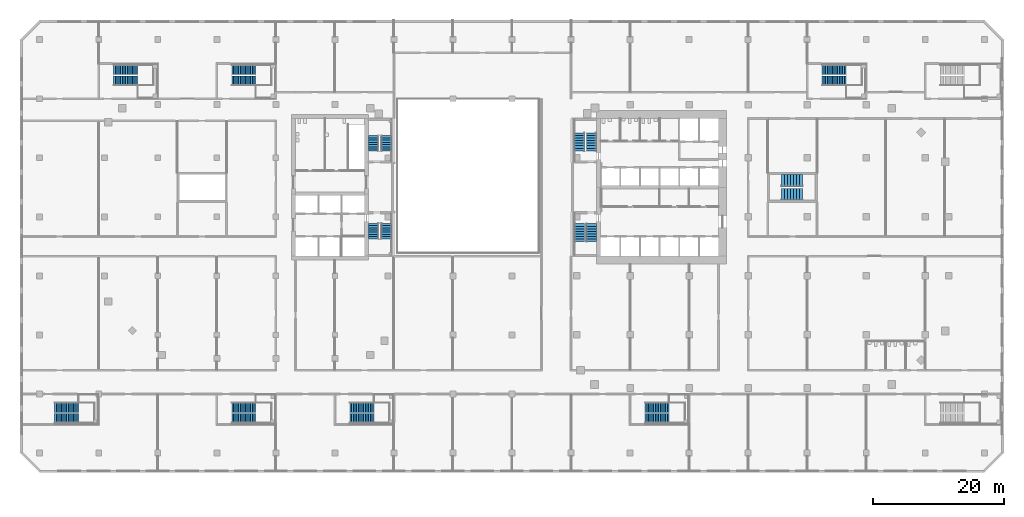
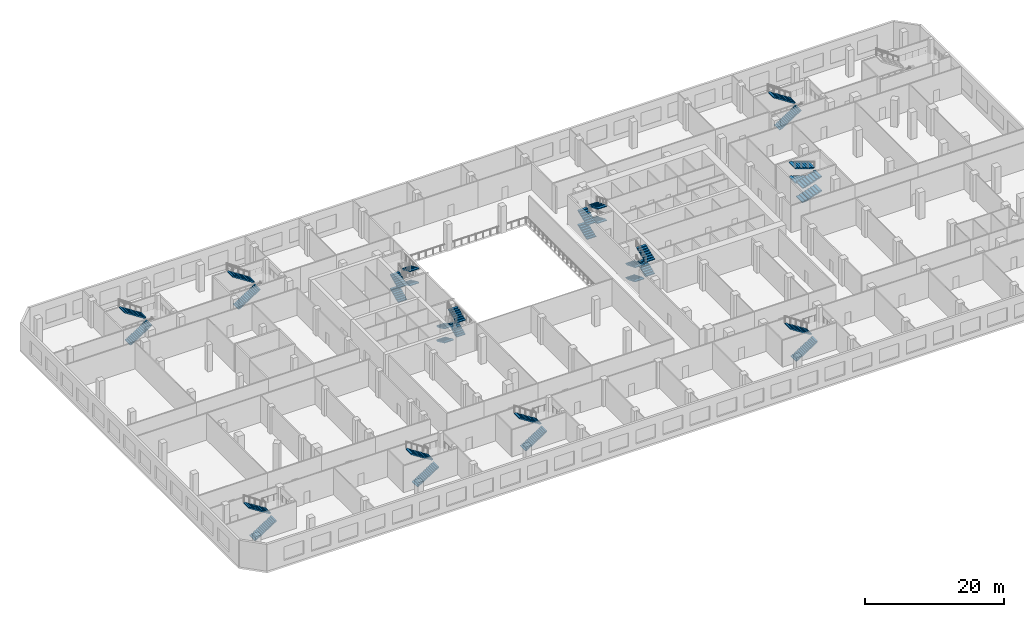
# One storey, part 15 of 21: 34 stair flights, 12 elements without a shape of their own.
"""IFC4 building model written with IfcOpenShell, lengths in metres."""

from ifc_helpers import new_model, si_unit, direction, frame, origin, place, context, subcontext, project, spatial, polyline, outline, extrude, material, type_object, element, aggregate, save


model = new_model("IFC4")

# Units and contexts
model_context = context("Model", 3, precision=1e-05, world=origin(), true_north=direction((0.0, 1.0)))
body_context = subcontext(model_context, "Body", "Model", "MODEL_VIEW")
ifc_project = project(units=[si_unit("LENGTHUNIT", "METRE"), si_unit("AREAUNIT", "SQUARE_METRE"), si_unit("VOLUMEUNIT", "CUBIC_METRE"), si_unit("PLANEANGLEUNIT", "RADIAN"), si_unit("MASSUNIT", "GRAM", prefix="KILO")], contexts=[model_context])

# Site, building, storey
site_placement = place(None, origin())
site = spatial("IfcSite", under=ifc_project, at=site_placement, CompositionType="ELEMENT")
building_placement = place(site_placement, origin())
building = spatial("IfcBuilding", under=site, at=building_placement, Name="Cinnabar Reach Civic Tower", CompositionType="ELEMENT")
storey_placement = place(building_placement, frame((0.0, 0.0, 16.0)))
storey = spatial("IfcBuildingStorey", under=building, at=storey_placement, Name="L03", CompositionType="ELEMENT", Elevation=16.0)

# Stair, stair flights
ifc_material_1 = material(Name="Concrete C35", Category="concrete")
stair_type_1 = type_object("IfcStairType", Name="Podium exit stair 1500", PredefinedType="HALF_TURN_STAIR", material=ifc_material_1)
stair_1_placement = place(storey_placement, origin())
stair_1 = element("IfcStair", 1, at=stair_1_placement, inside=storey, type_object=stair_type_1, Name="Stair PS1", PredefinedType="HALF_TURN_STAIR")
stair_flight_type_1 = type_object("IfcStairFlightType", Name="Podium exit stair flight 1500", PredefinedType="STRAIGHT", material=ifc_material_1)
stair_flight_1_placement = place(storey_placement, frame((-78.71, -3.75, 0.0), z_axis=(0.0, 0.0, 1.0), x_axis=(1.0, 0.0, 0.0)))
stair_flight_1 = element("IfcStairFlight", 2, at=stair_flight_1_placement, type_object=stair_flight_type_1, Name="PS1 flight 1", NumberOfRisers=15, NumberOfTreads=14, PredefinedType="STRAIGHT", RiserHeight=0.166666667, TreadLength=0.26, context=body_context, shape_type="SweptSolid", body=[
    extrude(outline(polyline([(0.0, 0.0), (0.0, 0.1667), (0.26, 0.1667), (0.26, 0.3333), (0.52, 0.3333), (0.52, 0.5), (0.78, 0.5), (0.78, 0.6667), (1.04, 0.6667), (1.04, 0.8333), (1.3, 0.8333), (1.3, 1.0), (1.56, 1.0), (1.56, 1.1667), (1.82, 1.1667), (1.82, 1.3333), (2.08, 1.3333), (2.08, 1.5), (2.34, 1.5), (2.34, 1.6667), (2.6, 1.6667), (2.6, 1.8333), (2.86, 1.8333), (2.86, 2.0), (3.12, 2.0), (3.12, 2.1667), (3.38, 2.1667), (3.38, 2.3333), (3.64, 2.3333), (3.64, 2.5), (3.64, 2.1552), (0.2779, 0.0), (0.0, 0.0)])), frame((0.0, 0.75, 0.0), z_axis=(0.0, -1.0, 0.0), x_axis=(1.0, 0.0, 0.0)), (0.0, 0.0, 1.0), 1.5),
])
stair_flight_2_placement = place(storey_placement, frame((-75.07, -2.05, 2.5), z_axis=(0.0, 0.0, 1.0), x_axis=(-1.0, 0.0, 0.0)))
stair_flight_2 = element("IfcStairFlight", 3, at=stair_flight_2_placement, type_object=stair_flight_type_1, Name="PS1 flight 2", NumberOfRisers=15, NumberOfTreads=14, PredefinedType="STRAIGHT", RiserHeight=0.166666667, TreadLength=0.26, context=body_context, shape_type="SweptSolid", body=[
    extrude(outline(polyline([(0.0, 0.0), (0.0, 0.1667), (0.26, 0.1667), (0.26, 0.3333), (0.52, 0.3333), (0.52, 0.5), (0.78, 0.5), (0.78, 0.6667), (1.04, 0.6667), (1.04, 0.8333), (1.3, 0.8333), (1.3, 1.0), (1.56, 1.0), (1.56, 1.1667), (1.82, 1.1667), (1.82, 1.3333), (2.08, 1.3333), (2.08, 1.5), (2.34, 1.5), (2.34, 1.6667), (2.6, 1.6667), (2.6, 1.8333), (2.86, 1.8333), (2.86, 2.0), (3.12, 2.0), (3.12, 2.1667), (3.38, 2.1667), (3.38, 2.3333), (3.64, 2.3333), (3.64, 2.5), (3.64, 2.1552), (0.2779, 0.0), (0.0, 0.0)])), frame((0.0, 0.75, 0.0), z_axis=(0.0, -1.0, 0.0), x_axis=(1.0, 0.0, 0.0)), (0.0, 0.0, 1.0), 1.5),
])
aggregate(stair_1, [stair_flight_1, stair_flight_2])

stair_2_placement = place(storey_placement, origin())
stair_2 = element("IfcStair", 4, at=stair_2_placement, inside=storey, type_object=stair_type_1, Name="Stair PS2", PredefinedType="HALF_TURN_STAIR")
stair_flight_3_placement = place(storey_placement, frame((-69.71, 47.75, 0.0), z_axis=(0.0, 0.0, 1.0), x_axis=(1.0, 0.0, 0.0)))
stair_flight_3 = element("IfcStairFlight", 5, at=stair_flight_3_placement, type_object=stair_flight_type_1, Name="PS2 flight 1", NumberOfRisers=15, NumberOfTreads=14, PredefinedType="STRAIGHT", RiserHeight=0.166666667, TreadLength=0.26, context=body_context, shape_type="SweptSolid", body=[
    extrude(outline(polyline([(0.0, 0.0), (0.0, 0.1667), (0.26, 0.1667), (0.26, 0.3333), (0.52, 0.3333), (0.52, 0.5), (0.78, 0.5), (0.78, 0.6667), (1.04, 0.6667), (1.04, 0.8333), (1.3, 0.8333), (1.3, 1.0), (1.56, 1.0), (1.56, 1.1667), (1.82, 1.1667), (1.82, 1.3333), (2.08, 1.3333), (2.08, 1.5), (2.34, 1.5), (2.34, 1.6667), (2.6, 1.6667), (2.6, 1.8333), (2.86, 1.8333), (2.86, 2.0), (3.12, 2.0), (3.12, 2.1667), (3.38, 2.1667), (3.38, 2.3333), (3.64, 2.3333), (3.64, 2.5), (3.64, 2.1552), (0.2779, 0.0), (0.0, 0.0)])), frame((0.0, 0.75, 0.0), z_axis=(0.0, -1.0, 0.0), x_axis=(1.0, 0.0, 0.0)), (0.0, 0.0, 1.0), 1.5),
])
stair_flight_4_placement = place(storey_placement, frame((-66.07, 49.45, 2.5), z_axis=(0.0, 0.0, 1.0), x_axis=(-1.0, 0.0, 0.0)))
stair_flight_4 = element("IfcStairFlight", 6, at=stair_flight_4_placement, type_object=stair_flight_type_1, Name="PS2 flight 2", NumberOfRisers=15, NumberOfTreads=14, PredefinedType="STRAIGHT", RiserHeight=0.166666667, TreadLength=0.26, context=body_context, shape_type="SweptSolid", body=[
    extrude(outline(polyline([(0.0, 0.0), (0.0, 0.1667), (0.26, 0.1667), (0.26, 0.3333), (0.52, 0.3333), (0.52, 0.5), (0.78, 0.5), (0.78, 0.6667), (1.04, 0.6667), (1.04, 0.8333), (1.3, 0.8333), (1.3, 1.0), (1.56, 1.0), (1.56, 1.1667), (1.82, 1.1667), (1.82, 1.3333), (2.08, 1.3333), (2.08, 1.5), (2.34, 1.5), (2.34, 1.6667), (2.6, 1.6667), (2.6, 1.8333), (2.86, 1.8333), (2.86, 2.0), (3.12, 2.0), (3.12, 2.1667), (3.38, 2.1667), (3.38, 2.3333), (3.64, 2.3333), (3.64, 2.5), (3.64, 2.1552), (0.2779, 0.0), (0.0, 0.0)])), frame((0.0, 0.75, 0.0), z_axis=(0.0, -1.0, 0.0), x_axis=(1.0, 0.0, 0.0)), (0.0, 0.0, 1.0), 1.5),
])
aggregate(stair_2, [stair_flight_3, stair_flight_4])

stair_3_placement = place(storey_placement, origin())
stair_3 = element("IfcStair", 7, at=stair_3_placement, inside=storey, type_object=stair_type_1, Name="Stair PS3", PredefinedType="HALF_TURN_STAIR")
stair_flight_5_placement = place(storey_placement, frame((11.29, -3.75, 0.0), z_axis=(0.0, 0.0, 1.0), x_axis=(1.0, 0.0, 0.0)))
stair_flight_5 = element("IfcStairFlight", 8, at=stair_flight_5_placement, type_object=stair_flight_type_1, Name="PS3 flight 1", NumberOfRisers=15, NumberOfTreads=14, PredefinedType="STRAIGHT", RiserHeight=0.166666667, TreadLength=0.26, context=body_context, shape_type="SweptSolid", body=[
    extrude(outline(polyline([(0.0, 0.0), (0.0, 0.1667), (0.26, 0.1667), (0.26, 0.3333), (0.52, 0.3333), (0.52, 0.5), (0.78, 0.5), (0.78, 0.6667), (1.04, 0.6667), (1.04, 0.8333), (1.3, 0.8333), (1.3, 1.0), (1.56, 1.0), (1.56, 1.1667), (1.82, 1.1667), (1.82, 1.3333), (2.08, 1.3333), (2.08, 1.5), (2.34, 1.5), (2.34, 1.6667), (2.6, 1.6667), (2.6, 1.8333), (2.86, 1.8333), (2.86, 2.0), (3.12, 2.0), (3.12, 2.1667), (3.38, 2.1667), (3.38, 2.3333), (3.64, 2.3333), (3.64, 2.5), (3.64, 2.1552), (0.2779, 0.0), (0.0, 0.0)])), frame((0.0, 0.75, 0.0), z_axis=(0.0, -1.0, 0.0), x_axis=(1.0, 0.0, 0.0)), (0.0, 0.0, 1.0), 1.5),
])
stair_flight_6_placement = place(storey_placement, frame((14.93, -2.05, 2.5), z_axis=(0.0, 0.0, 1.0), x_axis=(-1.0, 0.0, 0.0)))
stair_flight_6 = element("IfcStairFlight", 9, at=stair_flight_6_placement, type_object=stair_flight_type_1, Name="PS3 flight 2", NumberOfRisers=15, NumberOfTreads=14, PredefinedType="STRAIGHT", RiserHeight=0.166666667, TreadLength=0.26, context=body_context, shape_type="SweptSolid", body=[
    extrude(outline(polyline([(0.0, 0.0), (0.0, 0.1667), (0.26, 0.1667), (0.26, 0.3333), (0.52, 0.3333), (0.52, 0.5), (0.78, 0.5), (0.78, 0.6667), (1.04, 0.6667), (1.04, 0.8333), (1.3, 0.8333), (1.3, 1.0), (1.56, 1.0), (1.56, 1.1667), (1.82, 1.1667), (1.82, 1.3333), (2.08, 1.3333), (2.08, 1.5), (2.34, 1.5), (2.34, 1.6667), (2.6, 1.6667), (2.6, 1.8333), (2.86, 1.8333), (2.86, 2.0), (3.12, 2.0), (3.12, 2.1667), (3.38, 2.1667), (3.38, 2.3333), (3.64, 2.3333), (3.64, 2.5), (3.64, 2.1552), (0.2779, 0.0), (0.0, 0.0)])), frame((0.0, 0.75, 0.0), z_axis=(0.0, -1.0, 0.0), x_axis=(1.0, 0.0, 0.0)), (0.0, 0.0, 1.0), 1.5),
])
aggregate(stair_3, [stair_flight_5, stair_flight_6])

stair_4_placement = place(storey_placement, origin())
stair_4 = element("IfcStair", 10, at=stair_4_placement, inside=storey, type_object=stair_type_1, Name="Stair PS6", PredefinedType="HALF_TURN_STAIR")
stair_flight_7_placement = place(storey_placement, frame((38.29, 47.75, 0.0), z_axis=(0.0, 0.0, 1.0), x_axis=(1.0, 0.0, 0.0)))
stair_flight_7 = element("IfcStairFlight", 11, at=stair_flight_7_placement, type_object=stair_flight_type_1, Name="PS6 flight 1", NumberOfRisers=15, NumberOfTreads=14, PredefinedType="STRAIGHT", RiserHeight=0.166666667, TreadLength=0.26, context=body_context, shape_type="SweptSolid", body=[
    extrude(outline(polyline([(0.0, 0.0), (0.0, 0.1667), (0.26, 0.1667), (0.26, 0.3333), (0.52, 0.3333), (0.52, 0.5), (0.78, 0.5), (0.78, 0.6667), (1.04, 0.6667), (1.04, 0.8333), (1.3, 0.8333), (1.3, 1.0), (1.56, 1.0), (1.56, 1.1667), (1.82, 1.1667), (1.82, 1.3333), (2.08, 1.3333), (2.08, 1.5), (2.34, 1.5), (2.34, 1.6667), (2.6, 1.6667), (2.6, 1.8333), (2.86, 1.8333), (2.86, 2.0), (3.12, 2.0), (3.12, 2.1667), (3.38, 2.1667), (3.38, 2.3333), (3.64, 2.3333), (3.64, 2.5), (3.64, 2.1552), (0.2779, 0.0), (0.0, 0.0)])), frame((0.0, 0.75, 0.0), z_axis=(0.0, -1.0, 0.0), x_axis=(1.0, 0.0, 0.0)), (0.0, 0.0, 1.0), 1.5),
])
stair_flight_8_placement = place(storey_placement, frame((41.93, 49.45, 2.5), z_axis=(0.0, 0.0, 1.0), x_axis=(-1.0, 0.0, 0.0)))
stair_flight_8 = element("IfcStairFlight", 12, at=stair_flight_8_placement, type_object=stair_flight_type_1, Name="PS6 flight 2", NumberOfRisers=15, NumberOfTreads=14, PredefinedType="STRAIGHT", RiserHeight=0.166666667, TreadLength=0.26, context=body_context, shape_type="SweptSolid", body=[
    extrude(outline(polyline([(0.0, 0.0), (0.0, 0.1667), (0.26, 0.1667), (0.26, 0.3333), (0.52, 0.3333), (0.52, 0.5), (0.78, 0.5), (0.78, 0.6667), (1.04, 0.6667), (1.04, 0.8333), (1.3, 0.8333), (1.3, 1.0), (1.56, 1.0), (1.56, 1.1667), (1.82, 1.1667), (1.82, 1.3333), (2.08, 1.3333), (2.08, 1.5), (2.34, 1.5), (2.34, 1.6667), (2.6, 1.6667), (2.6, 1.8333), (2.86, 1.8333), (2.86, 2.0), (3.12, 2.0), (3.12, 2.1667), (3.38, 2.1667), (3.38, 2.3333), (3.64, 2.3333), (3.64, 2.5), (3.64, 2.1552), (0.2779, 0.0), (0.0, 0.0)])), frame((0.0, 0.75, 0.0), z_axis=(0.0, -1.0, 0.0), x_axis=(1.0, 0.0, 0.0)), (0.0, 0.0, 1.0), 1.5),
])
aggregate(stair_4, [stair_flight_7, stair_flight_8])

stair_5_placement = place(storey_placement, origin())
stair_5 = element("IfcStair", 13, at=stair_5_placement, inside=storey, type_object=stair_type_1, Name="Stair PS7", PredefinedType="HALF_TURN_STAIR")
stair_flight_9_placement = place(storey_placement, frame((-51.71, 47.75, 0.0), z_axis=(0.0, 0.0, 1.0), x_axis=(1.0, 0.0, 0.0)))
stair_flight_9 = element("IfcStairFlight", 14, at=stair_flight_9_placement, type_object=stair_flight_type_1, Name="PS7 flight 1", NumberOfRisers=15, NumberOfTreads=14, PredefinedType="STRAIGHT", RiserHeight=0.166666667, TreadLength=0.26, context=body_context, shape_type="SweptSolid", body=[
    extrude(outline(polyline([(0.0, 0.0), (0.0, 0.1667), (0.26, 0.1667), (0.26, 0.3333), (0.52, 0.3333), (0.52, 0.5), (0.78, 0.5), (0.78, 0.6667), (1.04, 0.6667), (1.04, 0.8333), (1.3, 0.8333), (1.3, 1.0), (1.56, 1.0), (1.56, 1.1667), (1.82, 1.1667), (1.82, 1.3333), (2.08, 1.3333), (2.08, 1.5), (2.34, 1.5), (2.34, 1.6667), (2.6, 1.6667), (2.6, 1.8333), (2.86, 1.8333), (2.86, 2.0), (3.12, 2.0), (3.12, 2.1667), (3.38, 2.1667), (3.38, 2.3333), (3.64, 2.3333), (3.64, 2.5), (3.64, 2.1552), (0.2779, 0.0), (0.0, 0.0)])), frame((0.0, 0.75, 0.0), z_axis=(0.0, -1.0, 0.0), x_axis=(1.0, 0.0, 0.0)), (0.0, 0.0, 1.0), 1.5),
])
stair_flight_10_placement = place(storey_placement, frame((-48.07, 49.45, 2.5), z_axis=(0.0, 0.0, 1.0), x_axis=(-1.0, 0.0, 0.0)))
stair_flight_10 = element("IfcStairFlight", 15, at=stair_flight_10_placement, type_object=stair_flight_type_1, Name="PS7 flight 2", NumberOfRisers=15, NumberOfTreads=14, PredefinedType="STRAIGHT", RiserHeight=0.166666667, TreadLength=0.26, context=body_context, shape_type="SweptSolid", body=[
    extrude(outline(polyline([(0.0, 0.0), (0.0, 0.1667), (0.26, 0.1667), (0.26, 0.3333), (0.52, 0.3333), (0.52, 0.5), (0.78, 0.5), (0.78, 0.6667), (1.04, 0.6667), (1.04, 0.8333), (1.3, 0.8333), (1.3, 1.0), (1.56, 1.0), (1.56, 1.1667), (1.82, 1.1667), (1.82, 1.3333), (2.08, 1.3333), (2.08, 1.5), (2.34, 1.5), (2.34, 1.6667), (2.6, 1.6667), (2.6, 1.8333), (2.86, 1.8333), (2.86, 2.0), (3.12, 2.0), (3.12, 2.1667), (3.38, 2.1667), (3.38, 2.3333), (3.64, 2.3333), (3.64, 2.5), (3.64, 2.1552), (0.2779, 0.0), (0.0, 0.0)])), frame((0.0, 0.75, 0.0), z_axis=(0.0, -1.0, 0.0), x_axis=(1.0, 0.0, 0.0)), (0.0, 0.0, 1.0), 1.5),
])
aggregate(stair_5, [stair_flight_9, stair_flight_10])

stair_6_placement = place(storey_placement, origin())
stair_6 = element("IfcStair", 16, at=stair_6_placement, inside=storey, type_object=stair_type_1, Name="Stair PS8", PredefinedType="HALF_TURN_STAIR")
stair_flight_11_placement = place(storey_placement, frame((-51.71, -3.75, 0.0), z_axis=(0.0, 0.0, 1.0), x_axis=(1.0, 0.0, 0.0)))
stair_flight_11 = element("IfcStairFlight", 17, at=stair_flight_11_placement, type_object=stair_flight_type_1, Name="PS8 flight 1", NumberOfRisers=15, NumberOfTreads=14, PredefinedType="STRAIGHT", RiserHeight=0.166666667, TreadLength=0.26, context=body_context, shape_type="SweptSolid", body=[
    extrude(outline(polyline([(0.0, 0.0), (0.0, 0.1667), (0.26, 0.1667), (0.26, 0.3333), (0.52, 0.3333), (0.52, 0.5), (0.78, 0.5), (0.78, 0.6667), (1.04, 0.6667), (1.04, 0.8333), (1.3, 0.8333), (1.3, 1.0), (1.56, 1.0), (1.56, 1.1667), (1.82, 1.1667), (1.82, 1.3333), (2.08, 1.3333), (2.08, 1.5), (2.34, 1.5), (2.34, 1.6667), (2.6, 1.6667), (2.6, 1.8333), (2.86, 1.8333), (2.86, 2.0), (3.12, 2.0), (3.12, 2.1667), (3.38, 2.1667), (3.38, 2.3333), (3.64, 2.3333), (3.64, 2.5), (3.64, 2.1552), (0.2779, 0.0), (0.0, 0.0)])), frame((0.0, 0.75, 0.0), z_axis=(0.0, -1.0, 0.0), x_axis=(1.0, 0.0, 0.0)), (0.0, 0.0, 1.0), 1.5),
])
stair_flight_12_placement = place(storey_placement, frame((-48.07, -2.05, 2.5), z_axis=(0.0, 0.0, 1.0), x_axis=(-1.0, 0.0, 0.0)))
stair_flight_12 = element("IfcStairFlight", 18, at=stair_flight_12_placement, type_object=stair_flight_type_1, Name="PS8 flight 2", NumberOfRisers=15, NumberOfTreads=14, PredefinedType="STRAIGHT", RiserHeight=0.166666667, TreadLength=0.26, context=body_context, shape_type="SweptSolid", body=[
    extrude(outline(polyline([(0.0, 0.0), (0.0, 0.1667), (0.26, 0.1667), (0.26, 0.3333), (0.52, 0.3333), (0.52, 0.5), (0.78, 0.5), (0.78, 0.6667), (1.04, 0.6667), (1.04, 0.8333), (1.3, 0.8333), (1.3, 1.0), (1.56, 1.0), (1.56, 1.1667), (1.82, 1.1667), (1.82, 1.3333), (2.08, 1.3333), (2.08, 1.5), (2.34, 1.5), (2.34, 1.6667), (2.6, 1.6667), (2.6, 1.8333), (2.86, 1.8333), (2.86, 2.0), (3.12, 2.0), (3.12, 2.1667), (3.38, 2.1667), (3.38, 2.3333), (3.64, 2.3333), (3.64, 2.5), (3.64, 2.1552), (0.2779, 0.0), (0.0, 0.0)])), frame((0.0, 0.75, 0.0), z_axis=(0.0, -1.0, 0.0), x_axis=(1.0, 0.0, 0.0)), (0.0, 0.0, 1.0), 1.5),
])
aggregate(stair_6, [stair_flight_11, stair_flight_12])

stair_7_placement = place(storey_placement, origin())
stair_7 = element("IfcStair", 19, at=stair_7_placement, inside=storey, type_object=stair_type_1, Name="Stair PS9", PredefinedType="HALF_TURN_STAIR")
stair_flight_13_placement = place(storey_placement, frame((-33.71, -3.75, 0.0), z_axis=(0.0, 0.0, 1.0), x_axis=(1.0, 0.0, 0.0)))
stair_flight_13 = element("IfcStairFlight", 20, at=stair_flight_13_placement, type_object=stair_flight_type_1, Name="PS9 flight 1", NumberOfRisers=15, NumberOfTreads=14, PredefinedType="STRAIGHT", RiserHeight=0.166666667, TreadLength=0.26, context=body_context, shape_type="SweptSolid", body=[
    extrude(outline(polyline([(0.0, 0.0), (0.0, 0.1667), (0.26, 0.1667), (0.26, 0.3333), (0.52, 0.3333), (0.52, 0.5), (0.78, 0.5), (0.78, 0.6667), (1.04, 0.6667), (1.04, 0.8333), (1.3, 0.8333), (1.3, 1.0), (1.56, 1.0), (1.56, 1.1667), (1.82, 1.1667), (1.82, 1.3333), (2.08, 1.3333), (2.08, 1.5), (2.34, 1.5), (2.34, 1.6667), (2.6, 1.6667), (2.6, 1.8333), (2.86, 1.8333), (2.86, 2.0), (3.12, 2.0), (3.12, 2.1667), (3.38, 2.1667), (3.38, 2.3333), (3.64, 2.3333), (3.64, 2.5), (3.64, 2.1552), (0.2779, 0.0), (0.0, 0.0)])), frame((0.0, 0.75, 0.0), z_axis=(0.0, -1.0, 0.0), x_axis=(1.0, 0.0, 0.0)), (0.0, 0.0, 1.0), 1.5),
])
stair_flight_14_placement = place(storey_placement, frame((-30.07, -2.05, 2.5), z_axis=(0.0, 0.0, 1.0), x_axis=(-1.0, 0.0, 0.0)))
stair_flight_14 = element("IfcStairFlight", 21, at=stair_flight_14_placement, type_object=stair_flight_type_1, Name="PS9 flight 2", NumberOfRisers=15, NumberOfTreads=14, PredefinedType="STRAIGHT", RiserHeight=0.166666667, TreadLength=0.26, context=body_context, shape_type="SweptSolid", body=[
    extrude(outline(polyline([(0.0, 0.0), (0.0, 0.1667), (0.26, 0.1667), (0.26, 0.3333), (0.52, 0.3333), (0.52, 0.5), (0.78, 0.5), (0.78, 0.6667), (1.04, 0.6667), (1.04, 0.8333), (1.3, 0.8333), (1.3, 1.0), (1.56, 1.0), (1.56, 1.1667), (1.82, 1.1667), (1.82, 1.3333), (2.08, 1.3333), (2.08, 1.5), (2.34, 1.5), (2.34, 1.6667), (2.6, 1.6667), (2.6, 1.8333), (2.86, 1.8333), (2.86, 2.0), (3.12, 2.0), (3.12, 2.1667), (3.38, 2.1667), (3.38, 2.3333), (3.64, 2.3333), (3.64, 2.5), (3.64, 2.1552), (0.2779, 0.0), (0.0, 0.0)])), frame((0.0, 0.75, 0.0), z_axis=(0.0, -1.0, 0.0), x_axis=(1.0, 0.0, 0.0)), (0.0, 0.0, 1.0), 1.5),
])
aggregate(stair_7, [stair_flight_13, stair_flight_14])

ifc_material_2 = material(Name="Concrete C40/50", Category="concrete")
stair_type_2 = type_object("IfcStairType", Name="T1 Exit stair, double return", PredefinedType="DOUBLE_RETURN_STAIR", material=ifc_material_2)
stair_8_placement = place(storey_placement, origin())
stair_8 = element("IfcStair", 22, at=stair_8_placement, inside=storey, type_object=stair_type_2, Name="Stair T1-S1", PredefinedType="DOUBLE_RETURN_STAIR")
stair_flight_type_2 = type_object("IfcStairFlightType", Name="T1 Stair flight, concrete", PredefinedType="STRAIGHT", material=ifc_material_2)
stair_flight_15_placement = place(storey_placement, frame((1.3125, 25.95, 0.0), z_axis=(0.0, 0.0, 1.0), x_axis=(0.0, -1.0, 0.0)))
stair_flight_15 = element("IfcStairFlight", 23, at=stair_flight_15_placement, type_object=stair_flight_type_2, Name="T1-S1 flight 1", NumberOfRisers=8, NumberOfTreads=7, PredefinedType="STRAIGHT", RiserHeight=0.15625, TreadLength=0.392142857, context=body_context, shape_type="SweptSolid", body=[
    extrude(outline(polyline([(0.0, 0.0), (0.0, 0.1562), (0.3921, 0.1562), (0.3921, 0.3125), (0.7843, 0.3125), (0.7843, 0.4688), (1.1764, 0.4688), (1.1764, 0.625), (1.5686, 0.625), (1.5686, 0.7812), (1.9607, 0.7812), (1.9607, 0.9375), (2.3529, 0.9375), (2.3529, 1.0938), (2.745, 1.0938), (2.745, 1.25), (2.745, 0.9323), (0.4052, 0.0), (0.0, 0.0)])), frame((0.0, 0.7625, 0.0), z_axis=(0.0, -1.0, 0.0), x_axis=(1.0, 0.0, 0.0)), (0.0, 0.0, 1.0), 1.525),
])
stair_flight_16_placement = place(storey_placement, frame((3.0875, 23.205, 1.25), z_axis=(0.0, 0.0, 1.0), x_axis=(0.0, 1.0, 0.0)))
stair_flight_16 = element("IfcStairFlight", 24, at=stair_flight_16_placement, type_object=stair_flight_type_2, Name="T1-S1 flight 2", NumberOfRisers=8, NumberOfTreads=7, PredefinedType="STRAIGHT", RiserHeight=0.15625, TreadLength=0.392142857, context=body_context, shape_type="SweptSolid", body=[
    extrude(outline(polyline([(0.0, 0.0), (0.0, 0.1562), (0.3921, 0.1562), (0.3921, 0.3125), (0.7843, 0.3125), (0.7843, 0.4688), (1.1764, 0.4688), (1.1764, 0.625), (1.5686, 0.625), (1.5686, 0.7812), (1.9607, 0.7812), (1.9607, 0.9375), (2.3529, 0.9375), (2.3529, 1.0938), (2.745, 1.0938), (2.745, 1.25), (2.745, 0.9323), (0.4052, 0.0), (0.0, 0.0)])), frame((0.0, 0.7625, 0.0), z_axis=(0.0, -1.0, 0.0), x_axis=(1.0, 0.0, 0.0)), (0.0, 0.0, 1.0), 1.525),
])
stair_flight_17_placement = place(storey_placement, frame((1.3125, 25.95, 2.5), z_axis=(0.0, 0.0, 1.0), x_axis=(0.0, -1.0, 0.0)))
stair_flight_17 = element("IfcStairFlight", 25, at=stair_flight_17_placement, type_object=stair_flight_type_2, Name="T1-S1 flight 3", NumberOfRisers=8, NumberOfTreads=7, PredefinedType="STRAIGHT", RiserHeight=0.15625, TreadLength=0.392142857, context=body_context, shape_type="SweptSolid", body=[
    extrude(outline(polyline([(0.0, 0.0), (0.0, 0.1562), (0.3921, 0.1562), (0.3921, 0.3125), (0.7843, 0.3125), (0.7843, 0.4688), (1.1764, 0.4688), (1.1764, 0.625), (1.5686, 0.625), (1.5686, 0.7812), (1.9607, 0.7812), (1.9607, 0.9375), (2.3529, 0.9375), (2.3529, 1.0938), (2.745, 1.0938), (2.745, 1.25), (2.745, 0.9323), (0.4052, 0.0), (0.0, 0.0)])), frame((0.0, 0.7625, 0.0), z_axis=(0.0, -1.0, 0.0), x_axis=(1.0, 0.0, 0.0)), (0.0, 0.0, 1.0), 1.525),
])
stair_flight_18_placement = place(storey_placement, frame((3.0875, 23.205, 3.75), z_axis=(0.0, 0.0, 1.0), x_axis=(0.0, 1.0, 0.0)))
stair_flight_18 = element("IfcStairFlight", 26, at=stair_flight_18_placement, type_object=stair_flight_type_2, Name="T1-S1 flight 4", NumberOfRisers=8, NumberOfTreads=7, PredefinedType="STRAIGHT", RiserHeight=0.15625, TreadLength=0.392142857, context=body_context, shape_type="SweptSolid", body=[
    extrude(outline(polyline([(0.0, 0.0), (0.0, 0.1562), (0.3921, 0.1562), (0.3921, 0.3125), (0.7843, 0.3125), (0.7843, 0.4688), (1.1764, 0.4688), (1.1764, 0.625), (1.5686, 0.625), (1.5686, 0.7812), (1.9607, 0.7812), (1.9607, 0.9375), (2.3529, 0.9375), (2.3529, 1.0938), (2.745, 1.0938), (2.745, 1.25), (2.745, 0.9323), (0.4052, 0.0), (0.0, 0.0)])), frame((0.0, 0.7625, 0.0), z_axis=(0.0, -1.0, 0.0), x_axis=(1.0, 0.0, 0.0)), (0.0, 0.0, 1.0), 1.525),
])
aggregate(stair_8, [stair_flight_15, stair_flight_16, stair_flight_17, stair_flight_18])

stair_9_placement = place(storey_placement, origin())
stair_9 = element("IfcStair", 27, at=stair_9_placement, inside=storey, type_object=stair_type_2, Name="Stair T1-S2", PredefinedType="DOUBLE_RETURN_STAIR")
stair_flight_19_placement = place(storey_placement, frame((1.3125, 37.05, 0.0), z_axis=(0.0, 0.0, 1.0), x_axis=(0.0, 1.0, 0.0)))
stair_flight_19 = element("IfcStairFlight", 28, at=stair_flight_19_placement, type_object=stair_flight_type_2, Name="T1-S2 flight 1", NumberOfRisers=8, NumberOfTreads=7, PredefinedType="STRAIGHT", RiserHeight=0.15625, TreadLength=0.392142857, context=body_context, shape_type="SweptSolid", body=[
    extrude(outline(polyline([(0.0, 0.0), (0.0, 0.1562), (0.3921, 0.1562), (0.3921, 0.3125), (0.7843, 0.3125), (0.7843, 0.4688), (1.1764, 0.4688), (1.1764, 0.625), (1.5686, 0.625), (1.5686, 0.7812), (1.9607, 0.7812), (1.9607, 0.9375), (2.3529, 0.9375), (2.3529, 1.0938), (2.745, 1.0938), (2.745, 1.25), (2.745, 0.9323), (0.4052, 0.0), (0.0, 0.0)])), frame((0.0, 0.7625, 0.0), z_axis=(0.0, -1.0, 0.0), x_axis=(1.0, 0.0, 0.0)), (0.0, 0.0, 1.0), 1.525),
])
stair_flight_20_placement = place(storey_placement, frame((3.0875, 39.795, 1.25), z_axis=(0.0, 0.0, 1.0), x_axis=(0.0, -1.0, 0.0)))
stair_flight_20 = element("IfcStairFlight", 29, at=stair_flight_20_placement, type_object=stair_flight_type_2, Name="T1-S2 flight 2", NumberOfRisers=8, NumberOfTreads=7, PredefinedType="STRAIGHT", RiserHeight=0.15625, TreadLength=0.392142857, context=body_context, shape_type="SweptSolid", body=[
    extrude(outline(polyline([(0.0, 0.0), (0.0, 0.1562), (0.3921, 0.1562), (0.3921, 0.3125), (0.7843, 0.3125), (0.7843, 0.4688), (1.1764, 0.4688), (1.1764, 0.625), (1.5686, 0.625), (1.5686, 0.7812), (1.9607, 0.7812), (1.9607, 0.9375), (2.3529, 0.9375), (2.3529, 1.0938), (2.745, 1.0938), (2.745, 1.25), (2.745, 0.9323), (0.4052, 0.0), (0.0, 0.0)])), frame((0.0, 0.7625, 0.0), z_axis=(0.0, -1.0, 0.0), x_axis=(1.0, 0.0, 0.0)), (0.0, 0.0, 1.0), 1.525),
])
stair_flight_21_placement = place(storey_placement, frame((1.3125, 37.05, 2.5), z_axis=(0.0, 0.0, 1.0), x_axis=(0.0, 1.0, 0.0)))
stair_flight_21 = element("IfcStairFlight", 30, at=stair_flight_21_placement, type_object=stair_flight_type_2, Name="T1-S2 flight 3", NumberOfRisers=8, NumberOfTreads=7, PredefinedType="STRAIGHT", RiserHeight=0.15625, TreadLength=0.392142857, context=body_context, shape_type="SweptSolid", body=[
    extrude(outline(polyline([(0.0, 0.0), (0.0, 0.1562), (0.3921, 0.1562), (0.3921, 0.3125), (0.7843, 0.3125), (0.7843, 0.4688), (1.1764, 0.4688), (1.1764, 0.625), (1.5686, 0.625), (1.5686, 0.7812), (1.9607, 0.7812), (1.9607, 0.9375), (2.3529, 0.9375), (2.3529, 1.0938), (2.745, 1.0938), (2.745, 1.25), (2.745, 0.9323), (0.4052, 0.0), (0.0, 0.0)])), frame((0.0, 0.7625, 0.0), z_axis=(0.0, -1.0, 0.0), x_axis=(1.0, 0.0, 0.0)), (0.0, 0.0, 1.0), 1.525),
])
stair_flight_22_placement = place(storey_placement, frame((3.0875, 39.795, 3.75), z_axis=(0.0, 0.0, 1.0), x_axis=(0.0, -1.0, 0.0)))
stair_flight_22 = element("IfcStairFlight", 31, at=stair_flight_22_placement, type_object=stair_flight_type_2, Name="T1-S2 flight 4", NumberOfRisers=8, NumberOfTreads=7, PredefinedType="STRAIGHT", RiserHeight=0.15625, TreadLength=0.392142857, context=body_context, shape_type="SweptSolid", body=[
    extrude(outline(polyline([(0.0, 0.0), (0.0, 0.1562), (0.3921, 0.1562), (0.3921, 0.3125), (0.7843, 0.3125), (0.7843, 0.4688), (1.1764, 0.4688), (1.1764, 0.625), (1.5686, 0.625), (1.5686, 0.7812), (1.9607, 0.7812), (1.9607, 0.9375), (2.3529, 0.9375), (2.3529, 1.0938), (2.745, 1.0938), (2.745, 1.25), (2.745, 0.9323), (0.4052, 0.0), (0.0, 0.0)])), frame((0.0, 0.7625, 0.0), z_axis=(0.0, -1.0, 0.0), x_axis=(1.0, 0.0, 0.0)), (0.0, 0.0, 1.0), 1.525),
])
aggregate(stair_9, [stair_flight_19, stair_flight_20, stair_flight_21, stair_flight_22])

stair_10_placement = place(storey_placement, origin())
stair_10 = element("IfcStair", 32, at=stair_10_placement, inside=storey, type_object=stair_type_2, Name="Stair T1-S3", PredefinedType="DOUBLE_RETURN_STAIR")
stair_flight_23_placement = place(storey_placement, frame((32.05, 30.45, 0.0), z_axis=(0.0, 0.0, 1.0), x_axis=(1.0, 0.0, 0.0)))
stair_flight_23 = element("IfcStairFlight", 33, at=stair_flight_23_placement, type_object=stair_flight_type_2, Name="T1-S3 flight 1", NumberOfRisers=8, NumberOfTreads=7, PredefinedType="STRAIGHT", RiserHeight=0.15625, TreadLength=0.462857143, context=body_context, shape_type="SweptSolid", body=[
    extrude(outline(polyline([(0.0, 0.0), (0.0, 0.1562), (0.4629, 0.1562), (0.4629, 0.3125), (0.9257, 0.3125), (0.9257, 0.4688), (1.3886, 0.4688), (1.3886, 0.625), (1.8514, 0.625), (1.8514, 0.7812), (2.3143, 0.7812), (2.3143, 0.9375), (2.7771, 0.9375), (2.7771, 1.0938), (3.24, 1.0938), (3.24, 1.25), (3.24, 0.9354), (0.469, 0.0), (0.0, 0.0)])), frame((0.0, 0.9, 0.0), z_axis=(0.0, -1.0, 0.0), x_axis=(1.0, 0.0, 0.0)), (0.0, 0.0, 1.0), 1.8),
])
stair_flight_24_placement = place(storey_placement, frame((35.29, 32.55, 1.25), z_axis=(0.0, 0.0, 1.0), x_axis=(-1.0, 0.0, 0.0)))
stair_flight_24 = element("IfcStairFlight", 34, at=stair_flight_24_placement, type_object=stair_flight_type_2, Name="T1-S3 flight 2", NumberOfRisers=8, NumberOfTreads=7, PredefinedType="STRAIGHT", RiserHeight=0.15625, TreadLength=0.462857143, context=body_context, shape_type="SweptSolid", body=[
    extrude(outline(polyline([(0.0, 0.0), (0.0, 0.1562), (0.4629, 0.1562), (0.4629, 0.3125), (0.9257, 0.3125), (0.9257, 0.4688), (1.3886, 0.4688), (1.3886, 0.625), (1.8514, 0.625), (1.8514, 0.7812), (2.3143, 0.7812), (2.3143, 0.9375), (2.7771, 0.9375), (2.7771, 1.0938), (3.24, 1.0938), (3.24, 1.25), (3.24, 0.9354), (0.469, 0.0), (0.0, 0.0)])), frame((0.0, 0.9, 0.0), z_axis=(0.0, -1.0, 0.0), x_axis=(1.0, 0.0, 0.0)), (0.0, 0.0, 1.0), 1.8),
])
stair_flight_25_placement = place(storey_placement, frame((32.05, 30.45, 2.5), z_axis=(0.0, 0.0, 1.0), x_axis=(1.0, 0.0, 0.0)))
stair_flight_25 = element("IfcStairFlight", 35, at=stair_flight_25_placement, type_object=stair_flight_type_2, Name="T1-S3 flight 3", NumberOfRisers=8, NumberOfTreads=7, PredefinedType="STRAIGHT", RiserHeight=0.15625, TreadLength=0.462857143, context=body_context, shape_type="SweptSolid", body=[
    extrude(outline(polyline([(0.0, 0.0), (0.0, 0.1562), (0.4629, 0.1562), (0.4629, 0.3125), (0.9257, 0.3125), (0.9257, 0.4688), (1.3886, 0.4688), (1.3886, 0.625), (1.8514, 0.625), (1.8514, 0.7812), (2.3143, 0.7812), (2.3143, 0.9375), (2.7771, 0.9375), (2.7771, 1.0938), (3.24, 1.0938), (3.24, 1.25), (3.24, 0.9354), (0.469, 0.0), (0.0, 0.0)])), frame((0.0, 0.9, 0.0), z_axis=(0.0, -1.0, 0.0), x_axis=(1.0, 0.0, 0.0)), (0.0, 0.0, 1.0), 1.8),
])
stair_flight_26_placement = place(storey_placement, frame((35.29, 32.55, 3.75), z_axis=(0.0, 0.0, 1.0), x_axis=(-1.0, 0.0, 0.0)))
stair_flight_26 = element("IfcStairFlight", 36, at=stair_flight_26_placement, type_object=stair_flight_type_2, Name="T1-S3 flight 4", NumberOfRisers=8, NumberOfTreads=7, PredefinedType="STRAIGHT", RiserHeight=0.15625, TreadLength=0.462857143, context=body_context, shape_type="SweptSolid", body=[
    extrude(outline(polyline([(0.0, 0.0), (0.0, 0.1562), (0.4629, 0.1562), (0.4629, 0.3125), (0.9257, 0.3125), (0.9257, 0.4688), (1.3886, 0.4688), (1.3886, 0.625), (1.8514, 0.625), (1.8514, 0.7812), (2.3143, 0.7812), (2.3143, 0.9375), (2.7771, 0.9375), (2.7771, 1.0938), (3.24, 1.0938), (3.24, 1.25), (3.24, 0.9354), (0.469, 0.0), (0.0, 0.0)])), frame((0.0, 0.9, 0.0), z_axis=(0.0, -1.0, 0.0), x_axis=(1.0, 0.0, 0.0)), (0.0, 0.0, 1.0), 1.8),
])
aggregate(stair_10, [stair_flight_23, stair_flight_24, stair_flight_25, stair_flight_26])

ifc_material_3 = material(Name="Concrete C40", Category="concrete")
stair_type_3 = type_object("IfcStairType", Name="T2 Exit stair 1500", PredefinedType="HALF_TURN_STAIR", material=ifc_material_3)
stair_11_placement = place(storey_placement, origin())
stair_11 = element("IfcStair", 37, at=stair_11_placement, inside=storey, type_object=stair_type_3, Name="Exit stair 1", PredefinedType="HALF_TURN_STAIR")
stair_flight_type_3 = type_object("IfcStairFlightType", Name="T2 Stair flight 1500", PredefinedType="STRAIGHT", material=ifc_material_3)
stair_flight_27_placement = place(storey_placement, frame((-30.15, 26.0, 0.0), z_axis=(0.0, 0.0, 1.0), x_axis=(0.0, -1.0, 0.0)))
stair_flight_27 = element("IfcStairFlight", 38, at=stair_flight_27_placement, type_object=stair_flight_type_3, Name="ST1 flight 1", NumberOfRisers=8, NumberOfTreads=7, PredefinedType="STRAIGHT", RiserHeight=0.15625, TreadLength=0.3375, context=body_context, shape_type="SweptSolid", body=[
    extrude(outline(polyline([(0.0, 0.0), (0.0, 0.1562), (0.3375, 0.1562), (0.3375, 0.3125), (0.675, 0.3125), (0.675, 0.4688), (1.0125, 0.4688), (1.0125, 0.625), (1.35, 0.625), (1.35, 0.7812), (1.6875, 0.7812), (1.6875, 0.9375), (2.025, 0.9375), (2.025, 1.0938), (2.3625, 1.0938), (2.3625, 1.25), (2.3625, 0.9285), (0.357, 0.0), (0.0, 0.0)])), frame((0.0, 0.75, 0.0), z_axis=(0.0, -1.0, 0.0), x_axis=(1.0, 0.0, 0.0)), (0.0, 0.0, 1.0), 1.5),
])
stair_flight_28_placement = place(storey_placement, frame((-28.15, 23.6375, 1.25), z_axis=(0.0, 0.0, 1.0), x_axis=(0.0, 1.0, 0.0)))
stair_flight_28 = element("IfcStairFlight", 39, at=stair_flight_28_placement, type_object=stair_flight_type_3, Name="ST1 flight 2", NumberOfRisers=8, NumberOfTreads=7, PredefinedType="STRAIGHT", RiserHeight=0.15625, TreadLength=0.3375, context=body_context, shape_type="SweptSolid", body=[
    extrude(outline(polyline([(0.0, 0.0), (0.0, 0.1562), (0.3375, 0.1562), (0.3375, 0.3125), (0.675, 0.3125), (0.675, 0.4688), (1.0125, 0.4688), (1.0125, 0.625), (1.35, 0.625), (1.35, 0.7812), (1.6875, 0.7812), (1.6875, 0.9375), (2.025, 0.9375), (2.025, 1.0938), (2.3625, 1.0938), (2.3625, 1.25), (2.3625, 0.9285), (0.357, 0.0), (0.0, 0.0)])), frame((0.0, 0.75, 0.0), z_axis=(0.0, -1.0, 0.0), x_axis=(1.0, 0.0, 0.0)), (0.0, 0.0, 1.0), 1.5),
])
stair_flight_29_placement = place(storey_placement, frame((-30.15, 26.0, 2.5), z_axis=(0.0, 0.0, 1.0), x_axis=(0.0, -1.0, 0.0)))
stair_flight_29 = element("IfcStairFlight", 40, at=stair_flight_29_placement, type_object=stair_flight_type_3, Name="ST1 flight 3", NumberOfRisers=8, NumberOfTreads=7, PredefinedType="STRAIGHT", RiserHeight=0.15625, TreadLength=0.3375, context=body_context, shape_type="SweptSolid", body=[
    extrude(outline(polyline([(0.0, 0.0), (0.0, 0.1562), (0.3375, 0.1562), (0.3375, 0.3125), (0.675, 0.3125), (0.675, 0.4688), (1.0125, 0.4688), (1.0125, 0.625), (1.35, 0.625), (1.35, 0.7812), (1.6875, 0.7812), (1.6875, 0.9375), (2.025, 0.9375), (2.025, 1.0938), (2.3625, 1.0938), (2.3625, 1.25), (2.3625, 0.9285), (0.357, 0.0), (0.0, 0.0)])), frame((0.0, 0.75, 0.0), z_axis=(0.0, -1.0, 0.0), x_axis=(1.0, 0.0, 0.0)), (0.0, 0.0, 1.0), 1.5),
])
stair_flight_30_placement = place(storey_placement, frame((-28.15, 23.6375, 3.75), z_axis=(0.0, 0.0, 1.0), x_axis=(0.0, 1.0, 0.0)))
stair_flight_30 = element("IfcStairFlight", 41, at=stair_flight_30_placement, type_object=stair_flight_type_3, Name="ST1 flight 4", NumberOfRisers=8, NumberOfTreads=7, PredefinedType="STRAIGHT", RiserHeight=0.15625, TreadLength=0.3375, context=body_context, shape_type="SweptSolid", body=[
    extrude(outline(polyline([(0.0, 0.0), (0.0, 0.1562), (0.3375, 0.1562), (0.3375, 0.3125), (0.675, 0.3125), (0.675, 0.4688), (1.0125, 0.4688), (1.0125, 0.625), (1.35, 0.625), (1.35, 0.7812), (1.6875, 0.7812), (1.6875, 0.9375), (2.025, 0.9375), (2.025, 1.0938), (2.3625, 1.0938), (2.3625, 1.25), (2.3625, 0.9285), (0.357, 0.0), (0.0, 0.0)])), frame((0.0, 0.75, 0.0), z_axis=(0.0, -1.0, 0.0), x_axis=(1.0, 0.0, 0.0)), (0.0, 0.0, 1.0), 1.5),
])
aggregate(stair_11, [stair_flight_27, stair_flight_28, stair_flight_29, stair_flight_30])

stair_12_placement = place(storey_placement, origin())
stair_12 = element("IfcStair", 42, at=stair_12_placement, inside=storey, type_object=stair_type_3, Name="Exit stair 2", PredefinedType="HALF_TURN_STAIR")
stair_flight_31_placement = place(storey_placement, frame((-30.15, 37.0, 0.0), z_axis=(0.0, 0.0, 1.0), x_axis=(0.0, 1.0, 0.0)))
stair_flight_31 = element("IfcStairFlight", 43, at=stair_flight_31_placement, type_object=stair_flight_type_3, Name="ST2 flight 1", NumberOfRisers=8, NumberOfTreads=7, PredefinedType="STRAIGHT", RiserHeight=0.15625, TreadLength=0.3375, context=body_context, shape_type="SweptSolid", body=[
    extrude(outline(polyline([(0.0, 0.0), (0.0, 0.1562), (0.3375, 0.1562), (0.3375, 0.3125), (0.675, 0.3125), (0.675, 0.4688), (1.0125, 0.4688), (1.0125, 0.625), (1.35, 0.625), (1.35, 0.7812), (1.6875, 0.7812), (1.6875, 0.9375), (2.025, 0.9375), (2.025, 1.0938), (2.3625, 1.0938), (2.3625, 1.25), (2.3625, 0.9285), (0.357, 0.0), (0.0, 0.0)])), frame((0.0, 0.75, 0.0), z_axis=(0.0, -1.0, 0.0), x_axis=(1.0, 0.0, 0.0)), (0.0, 0.0, 1.0), 1.5),
])
stair_flight_32_placement = place(storey_placement, frame((-28.15, 39.3625, 1.25), z_axis=(0.0, 0.0, 1.0), x_axis=(0.0, -1.0, 0.0)))
stair_flight_32 = element("IfcStairFlight", 44, at=stair_flight_32_placement, type_object=stair_flight_type_3, Name="ST2 flight 2", NumberOfRisers=8, NumberOfTreads=7, PredefinedType="STRAIGHT", RiserHeight=0.15625, TreadLength=0.3375, context=body_context, shape_type="SweptSolid", body=[
    extrude(outline(polyline([(0.0, 0.0), (0.0, 0.1562), (0.3375, 0.1562), (0.3375, 0.3125), (0.675, 0.3125), (0.675, 0.4688), (1.0125, 0.4688), (1.0125, 0.625), (1.35, 0.625), (1.35, 0.7812), (1.6875, 0.7812), (1.6875, 0.9375), (2.025, 0.9375), (2.025, 1.0938), (2.3625, 1.0938), (2.3625, 1.25), (2.3625, 0.9285), (0.357, 0.0), (0.0, 0.0)])), frame((0.0, 0.75, 0.0), z_axis=(0.0, -1.0, 0.0), x_axis=(1.0, 0.0, 0.0)), (0.0, 0.0, 1.0), 1.5),
])
stair_flight_33_placement = place(storey_placement, frame((-30.15, 37.0, 2.5), z_axis=(0.0, 0.0, 1.0), x_axis=(0.0, 1.0, 0.0)))
stair_flight_33 = element("IfcStairFlight", 45, at=stair_flight_33_placement, type_object=stair_flight_type_3, Name="ST2 flight 3", NumberOfRisers=8, NumberOfTreads=7, PredefinedType="STRAIGHT", RiserHeight=0.15625, TreadLength=0.3375, context=body_context, shape_type="SweptSolid", body=[
    extrude(outline(polyline([(0.0, 0.0), (0.0, 0.1562), (0.3375, 0.1562), (0.3375, 0.3125), (0.675, 0.3125), (0.675, 0.4688), (1.0125, 0.4688), (1.0125, 0.625), (1.35, 0.625), (1.35, 0.7812), (1.6875, 0.7812), (1.6875, 0.9375), (2.025, 0.9375), (2.025, 1.0938), (2.3625, 1.0938), (2.3625, 1.25), (2.3625, 0.9285), (0.357, 0.0), (0.0, 0.0)])), frame((0.0, 0.75, 0.0), z_axis=(0.0, -1.0, 0.0), x_axis=(1.0, 0.0, 0.0)), (0.0, 0.0, 1.0), 1.5),
])
stair_flight_34_placement = place(storey_placement, frame((-28.15, 39.3625, 3.75), z_axis=(0.0, 0.0, 1.0), x_axis=(0.0, -1.0, 0.0)))
stair_flight_34 = element("IfcStairFlight", 46, at=stair_flight_34_placement, type_object=stair_flight_type_3, Name="ST2 flight 4", NumberOfRisers=8, NumberOfTreads=7, PredefinedType="STRAIGHT", RiserHeight=0.15625, TreadLength=0.3375, context=body_context, shape_type="SweptSolid", body=[
    extrude(outline(polyline([(0.0, 0.0), (0.0, 0.1562), (0.3375, 0.1562), (0.3375, 0.3125), (0.675, 0.3125), (0.675, 0.4688), (1.0125, 0.4688), (1.0125, 0.625), (1.35, 0.625), (1.35, 0.7812), (1.6875, 0.7812), (1.6875, 0.9375), (2.025, 0.9375), (2.025, 1.0938), (2.3625, 1.0938), (2.3625, 1.25), (2.3625, 0.9285), (0.357, 0.0), (0.0, 0.0)])), frame((0.0, 0.75, 0.0), z_axis=(0.0, -1.0, 0.0), x_axis=(1.0, 0.0, 0.0)), (0.0, 0.0, 1.0), 1.5),
])
aggregate(stair_12, [stair_flight_31, stair_flight_32, stair_flight_33, stair_flight_34])

save(model, "model.ifc")
